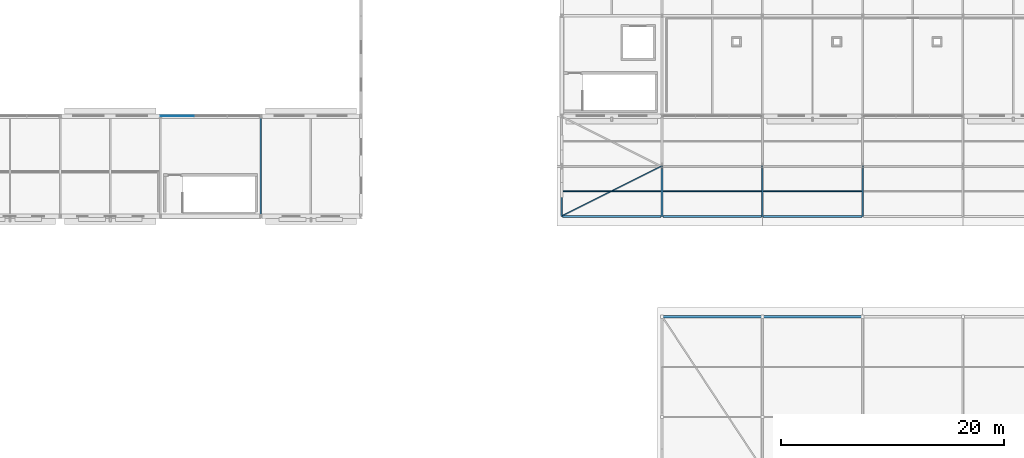
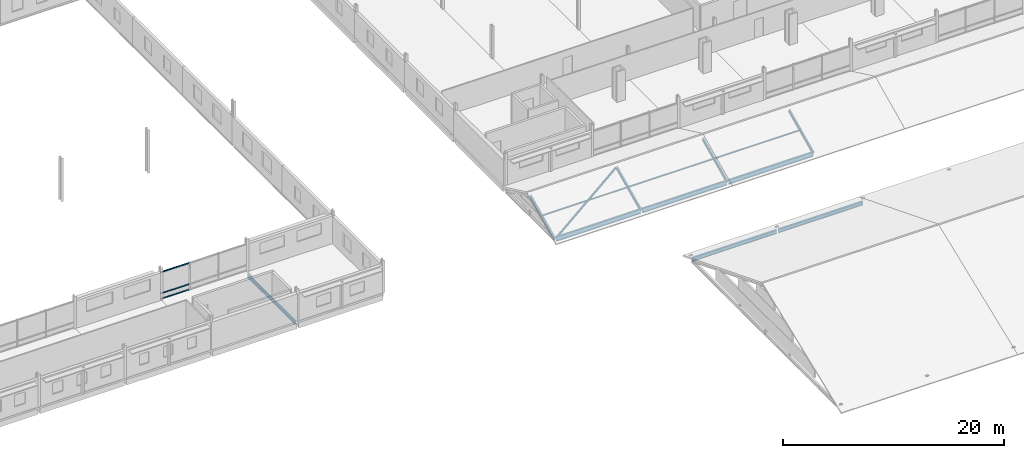
# One storey, part 69 of 132: 11 members, 6 beams, 1 element without a shape of its own.
"""IFC4 building model written with IfcOpenShell, lengths in metres."""

from ifc_helpers import new_model, si_unit, direction, frame, origin, origin_2d, place, context, subcontext, project, spatial, rectangle, i_section, extrude, material, material_profile, profile_set, type_object, element, aggregate, save


model = new_model("IFC4")

# Units and contexts
model_context = context("Model", 3, precision=1e-05, world=origin(), true_north=direction((0.0, 1.0)))
body_context = subcontext(model_context, "Body", "Model", "MODEL_VIEW")
ifc_project = project(units=[si_unit("LENGTHUNIT", "METRE"), si_unit("AREAUNIT", "SQUARE_METRE"), si_unit("VOLUMEUNIT", "CUBIC_METRE"), si_unit("PLANEANGLEUNIT", "RADIAN"), si_unit("MASSUNIT", "GRAM", prefix="KILO")], contexts=[model_context])

# Site, building, storey
site_placement = place(None, origin())
site = spatial("IfcSite", under=ifc_project, at=site_placement, CompositionType="ELEMENT")
building_placement = place(site_placement, origin())
building = spatial("IfcBuilding", under=site, at=building_placement, Name="Tharagai Park Tramway Depot", CompositionType="ELEMENT")
storey_placement = place(building_placement, frame((0.0, 0.0, 4.800048828125)))
storey = spatial("IfcBuildingStorey", under=building, at=storey_placement, Name="L01", CompositionType="ELEMENT", Elevation=4.800048828125)

# Beams
ifc_material_1 = material(Name="Steel E350", Category="steel")
ifc_material_profile_1 = material_profile(ifc_material_1, i_section(OverallWidth=0.199951171875, OverallDepth=0.39990234375, WebThickness=0.008544921875, FlangeThickness=0.012939453125, FilletRadius=0.013916015625, at=origin_2d()), Name="ISWB 400")
ifc_profile_set_1 = profile_set([ifc_material_profile_1], Name="Steel E350")
beam_type_1 = type_object("IfcBeamType", Name="BM-05", PredefinedType="BEAM", material=ifc_profile_set_1)
for number, where, z_axis, x_axis, name in (
    (1, (171.080078125, 81.0, -0.449951171875), (1.0, 0.0, 0.0), (0.0, 1.0, 0.0), "V6 Roof Eave Girder BM-05"),
    (2, (180.080078125, 81.0, -0.449951171875), (1.0, 0.0, 0.0), (0.0, 1.0, 0.0), "V6 Roof Eave Girder BM-05"),
):
    element("IfcBeam", number, at=place(storey_placement, frame(where, z_axis=z_axis, x_axis=x_axis)), inside=storey, type_object=beam_type_1, Name=name, PredefinedType="BEAM", context=body_context, shape_type="SweptSolid", body=[
        extrude(i_section(OverallWidth=0.199951171875, OverallDepth=0.39990234375, WebThickness=0.008544921875, FlangeThickness=0.012939453125, FilletRadius=0.013916015625, at=origin_2d()), origin(), (0.0, 0.0, 1.0), 8.83984375),
    ])
ifc_material_profile_2 = material_profile(ifc_material_1, i_section(OverallWidth=0.139892578125, OverallDepth=0.39990234375, WebThickness=0.0087890625, FlangeThickness=0.01611328125, FilletRadius=0.013916015625, at=origin_2d()), Name="ISMB 400")
ifc_profile_set_2 = profile_set([ifc_material_profile_2], Name="Steel E350")
beam_type_2 = type_object("IfcBeamType", Name="BM-06", PredefinedType="BEAM", material=ifc_profile_set_2)
beam_placement = place(storey_placement, frame((135.0, 90.175048828125, -0.380126953125), z_axis=(0.0, 1.0, 0.0), x_axis=(-1.0, 0.0, 0.0)))
element("IfcBeam", 3, at=beam_placement, inside=storey, type_object=beam_type_2, Name="L01 Grid Beam BM-06", PredefinedType="BEAM", context=body_context, shape_type="SweptSolid", body=[
    extrude(i_section(OverallWidth=0.139892578125, OverallDepth=0.39990234375, WebThickness=0.0087890625, FlangeThickness=0.01611328125, FilletRadius=0.013916015625, at=origin_2d()), origin(), (0.0, 0.0, 1.0), 8.675048828125),
])
ifc_material_profile_3 = material_profile(ifc_material_1, i_section(OverallWidth=0.179931640625, OverallDepth=0.5, WebThickness=0.01025390625, FlangeThickness=0.01708984375, FilletRadius=0.01708984375, at=origin_2d()), Name="ISMB 500")
ifc_profile_set_3 = profile_set([ifc_material_profile_3], Name="Steel E350")
beam_type_3 = type_object("IfcBeamType", Name="BM-18", PredefinedType="BEAM", material=ifc_profile_set_3)
for number, where, z_axis, x_axis, name in (
    (4, (162.080078125, 90.0, -0.5), (1.0, 0.0, 0.0), (0.0, 1.0, 0.0), "V3A Roof Eave Girder BM-18"),
    (5, (171.080078125, 90.0, -0.5), (1.0, 0.0, 0.0), (0.0, 1.0, 0.0), "V3A Roof Eave Girder BM-18"),
    (6, (180.080078125, 90.0, -0.5), (1.0, 0.0, 0.0), (0.0, 1.0, 0.0), "V3A Roof Eave Girder BM-18"),
):
    element("IfcBeam", number, at=place(storey_placement, frame(where, z_axis=z_axis, x_axis=x_axis)), inside=storey, type_object=beam_type_3, Name=name, PredefinedType="BEAM", context=body_context, shape_type="SweptSolid", body=[
        extrude(i_section(OverallWidth=0.179931640625, OverallDepth=0.5, WebThickness=0.01025390625, FlangeThickness=0.01708984375, FilletRadius=0.01708984375, at=origin_2d()), origin(), (0.0, 0.0, 1.0), 8.83984375),
    ])

# Member
ifc_material_profile_4 = material_profile(ifc_material_1, i_section(OverallWidth=0.110107421875, OverallDepth=0.22509765625, WebThickness=0.006591796875, FlangeThickness=0.01171875, FilletRadius=0.011962890625, at=origin_2d()), Name="ISMB 225")
ifc_profile_set_4 = profile_set([ifc_material_profile_4], Name="Steel E350")
member_type_1 = type_object("IfcMemberType", Name="BR-04", PredefinedType="BRACE", material=ifc_profile_set_4)
member_1_placement = place(storey_placement, frame((162.080078125, 90.080078125, -0.5), z_axis=(0.875948084723, 0.437974042362, 0.202221885777), x_axis=(-0.4472135955, 0.894427191, 0.0)))
element("IfcMember", 7, at=member_1_placement, inside=storey, type_object=member_type_1, Name="V3A Roof Wind Brace BR-04", PredefinedType="BRACE", context=body_context, shape_type="SweptSolid", body=[
    extrude(i_section(OverallWidth=0.110107421875, OverallDepth=0.22509765625, WebThickness=0.006591796875, FlangeThickness=0.01171875, FilletRadius=0.011962890625, at=origin_2d()), origin(), (0.0, 0.0, 1.0), 10.091796875),
])

# Curtain wall, members
ifc_material_2 = material(Name="Anodised aluminium", Category="aluminium")
curtain_wall_type = type_object("IfcCurtainWallType", Name="CW-01", PredefinedType="NOTDEFINED", material=ifc_material_2)
curtain_wall_placement = place(storey_placement, origin())
curtain_wall = element("IfcCurtainWall", 8, at=curtain_wall_placement, inside=storey, type_object=curtain_wall_type, Name="L01 V1 Gothic Mullioned Curtain Wall CW-01", PredefinedType="NOTDEFINED")
ifc_material_profile_5 = material_profile(ifc_material_2, rectangle(XDim=0.06494140625, YDim=0.1201171875, at=origin_2d()), Name="ALU 65x120")
ifc_profile_set_5 = profile_set([ifc_material_profile_5], Name="Anodised aluminium")
member_type_2 = type_object("IfcMemberType", Name="CM-01", PredefinedType="USERDEFINED", material=ifc_profile_set_5)
member_2_placement = place(storey_placement, frame((126.010986328125, 99.0, 0.06005859375), z_axis=(1.0, 0.0, 0.0), x_axis=(0.0, 1.0, 0.0)))
member_2 = element("IfcMember", 9, at=member_2_placement, type_object=member_type_2, Name="L01 V1 Gothic Mullioned Curtain Wall Transom 1.1", ObjectType="TRANSOM", PredefinedType="USERDEFINED", context=body_context, shape_type="SweptSolid", body=[
    extrude(rectangle(XDim=0.06494140625, YDim=0.1201171875, at=origin_2d()), origin(), (0.0, 0.0, 1.0), 2.97265625),
])
member_3_placement = place(storey_placement, frame((126.010986328125, 99.0, 0.64990234375), z_axis=(1.0, 0.0, 0.0), x_axis=(0.0, 1.0, 0.0)))
member_3 = element("IfcMember", 10, at=member_3_placement, type_object=member_type_2, Name="L01 V1 Gothic Mullioned Curtain Wall Transom 1.2", ObjectType="TRANSOM", PredefinedType="USERDEFINED", context=body_context, shape_type="SweptSolid", body=[
    extrude(rectangle(XDim=0.06494140625, YDim=0.1201171875, at=origin_2d()), origin(), (0.0, 0.0, 1.0), 2.97265625),
])
member_4_placement = place(storey_placement, frame((126.010986328125, 99.0, 2.969970703125), z_axis=(1.0, 0.0, 0.0), x_axis=(0.0, 1.0, 0.0)))
member_4 = element("IfcMember", 11, at=member_4_placement, type_object=member_type_2, Name="L01 V1 Gothic Mullioned Curtain Wall Transom 1.3", ObjectType="TRANSOM", PredefinedType="USERDEFINED", context=body_context, shape_type="SweptSolid", body=[
    extrude(rectangle(XDim=0.06494140625, YDim=0.1201171875, at=origin_2d()), origin(), (0.0, 0.0, 1.0), 2.97265625),
])
aggregate(curtain_wall, [member_2, member_3, member_4])

# Members
ifc_material_3 = material(Name="Steel E250", Category="steel")
ifc_material_profile_6 = material_profile(ifc_material_3, i_section(OverallWidth=0.080078125, OverallDepth=0.14990234375, WebThickness=0.0048828125, FlangeThickness=0.007568359375, FilletRadius=0.009033203125, at=origin_2d()), Name="ISMB 150")
ifc_profile_set_6 = profile_set([ifc_material_profile_6], Name="Steel E250")
member_type_3 = type_object("IfcMemberType", Name="PR-05", PredefinedType="PURLIN", material=ifc_profile_set_6)
for number, where, z_axis, x_axis, name in (
    (12, (162.02001953125, 92.25, 0.771484375), (1.0, 0.0, 0.0), (0.0, 1.0, 0.0), "V3A Roof Purlin PR-05"),
    (13, (171.02001953125, 92.25, 0.771484375), (1.0, 0.0, 0.0), (0.0, 1.0, 0.0), "V3A Roof Purlin PR-05"),
    (14, (180.02001953125, 92.25, 0.771484375), (1.0, 0.0, 0.0), (0.0, 1.0, 0.0), "V3A Roof Purlin PR-05"),
):
    element("IfcMember", number, at=place(storey_placement, frame(where, z_axis=z_axis, x_axis=x_axis)), inside=storey, type_object=member_type_3, Name=name, PredefinedType="PURLIN", context=body_context, shape_type="SweptSolid", body=[
        extrude(i_section(OverallWidth=0.080078125, OverallDepth=0.14990234375, WebThickness=0.0048828125, FlangeThickness=0.007568359375, FilletRadius=0.009033203125, at=origin_2d()), origin(), (0.0, 0.0, 1.0), 8.9599609375),
    ])
ifc_material_profile_7 = material_profile(ifc_material_1, i_section(OverallWidth=0.139892578125, OverallDepth=0.35009765625, WebThickness=0.008056640625, FlangeThickness=0.01416015625, FilletRadius=0.013916015625, at=origin_2d()), Name="ISMB 350")
ifc_profile_set_7 = profile_set([ifc_material_profile_7], Name="Steel E350")
member_type_4 = type_object("IfcMemberType", Name="RF-01", PredefinedType="RAFTER", material=ifc_profile_set_7)
for number, where, z_axis, x_axis, name in (
    (15, (162.0, 90.050048828125, -0.53271484375), (0.0, 0.904482163098, 0.426511449598), (-1.0, 0.0, 0.0), "V3A Pitched Rafter RF-01 South"),
    (16, (171.0, 90.050048828125, -0.53271484375), (0.0, 0.904482163098, 0.426511449598), (-1.0, 0.0, 0.0), "V3A Pitched Rafter RF-01 South"),
    (17, (180.0, 90.050048828125, -0.53271484375), (0.0, 0.904482163098, 0.426511449598), (-1.0, 0.0, 0.0), "V3A Pitched Rafter RF-01 South"),
    (18, (189.0, 90.050048828125, -0.53271484375), (0.0, 0.904482163098, 0.426511449598), (-1.0, 0.0, 0.0), "V3A Pitched Rafter RF-01 South"),
):
    element("IfcMember", number, at=place(storey_placement, frame(where, z_axis=z_axis, x_axis=x_axis)), inside=storey, type_object=member_type_4, Name=name, PredefinedType="RAFTER", context=body_context, shape_type="SweptSolid", body=[
        extrude(i_section(OverallWidth=0.139892578125, OverallDepth=0.35009765625, WebThickness=0.008056640625, FlangeThickness=0.01416015625, FilletRadius=0.013916015625, at=origin_2d()), origin(), (0.0, 0.0, 1.0), 4.919921875),
    ])

save(model, "model.ifc")
